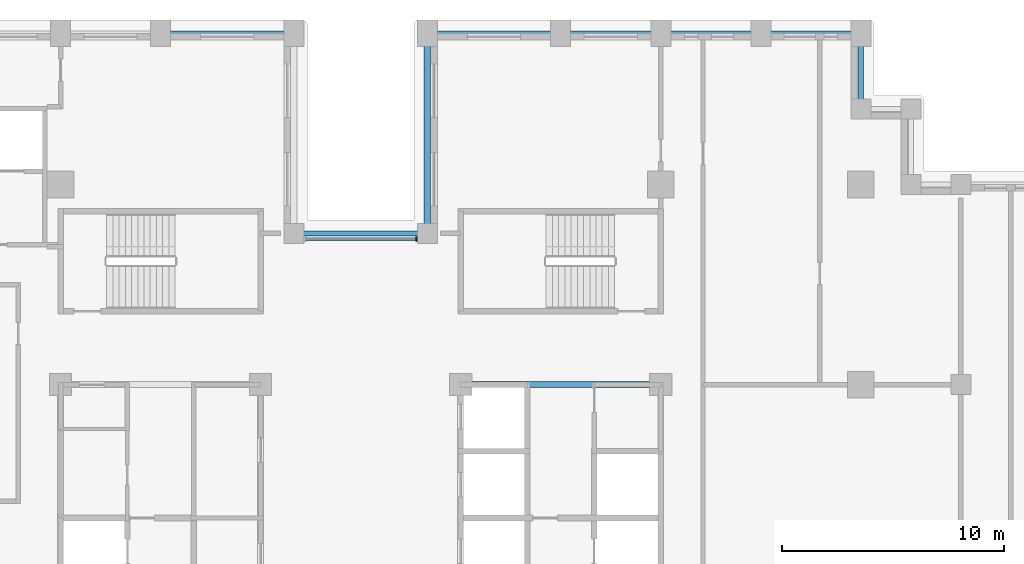
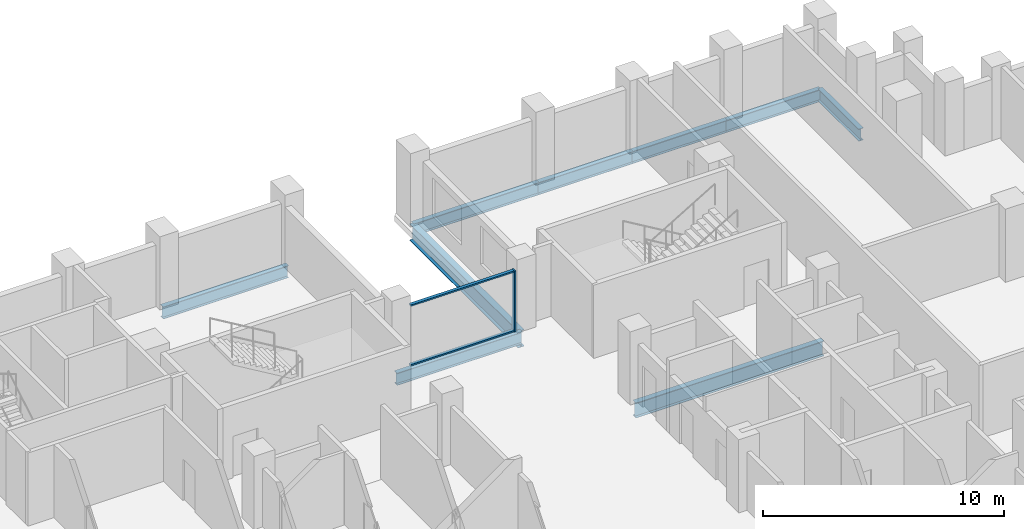
# One storey, part 4 of 16: 9 beams, 3 members, 1 element without a shape of its own.
"""IFC4 building model written with IfcOpenShell, lengths in metres."""

from ifc_helpers import new_model, si_unit, direction, frame, origin, origin_2d, place, context, subcontext, project, spatial, rectangle, i_section, extrude, material, layer, layer_set, material_profile, profile_set, type_object, element, aggregate, save


model = new_model("IFC4")

# Units and contexts
model_context = context("Model", 3, precision=1e-05, world=origin(), true_north=direction((0.0, 1.0)))
body_context = subcontext(model_context, "Body", "Model", "MODEL_VIEW")
ifc_project = project(units=[si_unit("LENGTHUNIT", "METRE"), si_unit("AREAUNIT", "SQUARE_METRE"), si_unit("VOLUMEUNIT", "CUBIC_METRE"), si_unit("PLANEANGLEUNIT", "RADIAN"), si_unit("MASSUNIT", "GRAM", prefix="KILO")], contexts=[model_context])

# Site, building, storey
site_placement = place(None, origin())
site = spatial("IfcSite", under=ifc_project, at=site_placement, CompositionType="ELEMENT")
building_placement = place(site_placement, origin())
building = spatial("IfcBuilding", under=site, at=building_placement, Name="Corbelhall Arena Tower", CompositionType="ELEMENT")
storey_placement = place(building_placement, frame((0.0, 0.0, 104.0)))
storey = spatial("IfcBuildingStorey", under=building, at=storey_placement, Name="L18", CompositionType="ELEMENT", Elevation=104.0)

# Curtain wall, members
ifc_material_1 = material(Name="Aluminium black anodised", Category="aluminium")
ifc_layer = layer(ifc_material_1, 0.199951171875)
ifc_layer_set = layer_set([ifc_layer], Name="EV-CW1 Slot back wall")
curtain_wall_type = type_object("IfcCurtainWallType", Name="EV-CW1 Slot back wall", PredefinedType="NOTDEFINED", material=ifc_layer_set)
curtain_wall_placement = place(storey_placement, origin())
curtain_wall = element("IfcCurtainWall", 1, at=curtain_wall_placement, inside=storey, type_object=curtain_wall_type, Name="Curtain wall CW1", PredefinedType="NOTDEFINED")
ifc_material_profile_1 = material_profile(ifc_material_1, rectangle(XDim=0.199951171875, YDim=0.074951171875, at=origin_2d()))
ifc_profile_set_1 = profile_set([ifc_material_profile_1], Name="Aluminium black anodised")
member_type_1 = type_object("IfcMemberType", Name="EV-CW1-MULLION", PredefinedType="MULLION", material=ifc_profile_set_1)
member_1_placement = place(storey_placement, frame((2.512451171875, 15.550048828125, 0.0), z_axis=(0.0, 0.0, 1.0), x_axis=(0.0, -1.0, 0.0)))
member_1 = element("IfcMember", 2, at=member_1_placement, type_object=member_type_1, Name="CW1 mullion 1", PredefinedType="MULLION", context=body_context, shape_type="SweptSolid", body=[
    extrude(rectangle(XDim=0.199951171875, YDim=0.074951171875, at=origin_2d()), origin(), (0.0, 0.0, 1.0), 3.10009765625),
])
ifc_material_profile_2 = material_profile(ifc_material_1, rectangle(XDim=0.14990234375, YDim=0.074951171875, at=origin_2d()))
ifc_profile_set_2 = profile_set([ifc_material_profile_2], Name="Aluminium black anodised")
member_type_2 = type_object("IfcMemberType", Name="EV-CW1-TRANSOM", PredefinedType="USERDEFINED", material=ifc_profile_set_2)
member_2_placement = place(storey_placement, frame((2.47509765625, 15.550048828125, 0.03759765625), z_axis=(-1.0, 0.0, 0.0), x_axis=(0.0, -1.0, 0.0)))
member_2 = element("IfcMember", 3, at=member_2_placement, type_object=member_type_2, Name="CW1 transom 1.1", ObjectType="transom", PredefinedType="USERDEFINED", context=body_context, shape_type="SweptSolid", body=[
    extrude(rectangle(XDim=0.14990234375, YDim=0.074951171875, at=origin_2d()), origin(), (0.0, 0.0, 1.0), 4.9501953125),
])
member_3_placement = place(storey_placement, frame((2.47509765625, 15.550048828125, 3.0625), z_axis=(-1.0, 0.0, 0.0), x_axis=(0.0, -1.0, 0.0)))
member_3 = element("IfcMember", 4, at=member_3_placement, type_object=member_type_2, Name="CW1 transom 1.2", ObjectType="transom", PredefinedType="USERDEFINED", context=body_context, shape_type="SweptSolid", body=[
    extrude(rectangle(XDim=0.14990234375, YDim=0.074951171875, at=origin_2d()), origin(), (0.0, 0.0, 1.0), 4.9501953125),
])
aggregate(curtain_wall, [member_1, member_2, member_3])

# Beams
ifc_material_2 = material(Name="Steel ASTM A992 Gr50", Category="steel")
ifc_material_profile_3 = material_profile(ifc_material_2, i_section(OverallWidth=0.2666015625, OverallDepth=0.761962890625, WebThickness=0.014404296875, FlangeThickness=0.021484375, at=origin_2d()))
ifc_profile_set_3 = profile_set([ifc_material_profile_3], Name="Steel ASTM A992 Gr50")
beam_type_1 = type_object("IfcBeamType", Name="ST-BEAM-W30x116", PredefinedType="BEAM", material=ifc_profile_set_3)
beam_1_placement = place(storey_placement, frame((4.5, 9.0, -0.680908203125), z_axis=(1.0, 0.0, 0.0), x_axis=(0.0, 1.0, 0.0)))
element("IfcBeam", 5, at=beam_1_placement, inside=storey, type_object=beam_type_1, Name="Beam CEE 12", PredefinedType="BEAM", context=body_context, shape_type="SweptSolid", body=[
    extrude(i_section(OverallWidth=0.2666015625, OverallDepth=0.761962890625, WebThickness=0.014404296875, FlangeThickness=0.021484375, at=origin_2d()), origin(), (0.0, 0.0, 1.0), 9.0),
])
ifc_material_profile_4 = material_profile(ifc_material_2, i_section(OverallWidth=0.23046875, OverallDepth=0.6171875, WebThickness=0.01318359375, FlangeThickness=0.022216796875, at=origin_2d()))
ifc_profile_set_4 = profile_set([ifc_material_profile_4], Name="Steel ASTM A992 Gr50")
beam_type_2 = type_object("IfcBeamType", Name="ST-SPANDREL-W24x94", PredefinedType="SPANDREL", material=ifc_profile_set_4)
beam_2_placement = place(storey_placement, frame((3.0, 24.800048828125, -0.608642578125), z_axis=(1.0, 0.0, 0.0), x_axis=(0.0, 1.0, 0.0)))
element("IfcBeam", 6, at=beam_2_placement, inside=storey, type_object=beam_type_2, Name="Beam SP 17", PredefinedType="SPANDREL", context=body_context, shape_type="SweptSolid", body=[
    extrude(i_section(OverallWidth=0.23046875, OverallDepth=0.6171875, WebThickness=0.01318359375, FlangeThickness=0.022216796875, at=origin_2d()), origin(), (0.0, 0.0, 1.0), 6.0),
])
for number, where, z_axis, x_axis, name in (
    (7, (9.0, 24.800048828125, -0.608642578125), (1.0, 0.0, 0.0), (0.0, 1.0, 0.0), "Beam SP 18"),
    (8, (13.5, 24.800048828125, -0.608642578125), (1.0, 0.0, 0.0), (0.0, 1.0, 0.0), "Beam SP 19"),
    (9, (18.0, 24.800048828125, -0.608642578125), (1.0, 0.0, 0.0), (0.0, 1.0, 0.0), "Beam SP 20"),
):
    element("IfcBeam", number, at=place(storey_placement, frame(where, z_axis=z_axis, x_axis=x_axis)), inside=storey, type_object=beam_type_2, Name=name, PredefinedType="SPANDREL", context=body_context, shape_type="SweptSolid", body=[
        extrude(i_section(OverallWidth=0.23046875, OverallDepth=0.6171875, WebThickness=0.01318359375, FlangeThickness=0.022216796875, at=origin_2d()), origin(), (0.0, 0.0, 1.0), 4.5),
    ])
beam_3_placement = place(storey_placement, frame((22.5, 24.800048828125, -0.608642578125), z_axis=(0.0, -1.0, 0.0), x_axis=(1.0, 0.0, 0.0)))
element("IfcBeam", 10, at=beam_3_placement, inside=storey, type_object=beam_type_2, Name="Beam SP 21", PredefinedType="SPANDREL", context=body_context, shape_type="SweptSolid", body=[
    extrude(i_section(OverallWidth=0.23046875, OverallDepth=0.6171875, WebThickness=0.01318359375, FlangeThickness=0.022216796875, at=origin_2d()), origin(), (0.0, 0.0, 1.0), 3.400146484375),
])
for number, where, z_axis, x_axis, name in (
    (11, (-9.0, 24.800048828125, -0.608642578125), (1.0, 0.0, 0.0), (0.0, 1.0, 0.0), "Beam SP 23"),
    (12, (-3.0, 15.800048828125, -0.608642578125), (1.0, 0.0, 0.0), (0.0, 1.0, 0.0), "Beam SP 40"),
):
    element("IfcBeam", number, at=place(storey_placement, frame(where, z_axis=z_axis, x_axis=x_axis)), inside=storey, type_object=beam_type_2, Name=name, PredefinedType="SPANDREL", context=body_context, shape_type="SweptSolid", body=[
        extrude(i_section(OverallWidth=0.23046875, OverallDepth=0.6171875, WebThickness=0.01318359375, FlangeThickness=0.022216796875, at=origin_2d()), origin(), (0.0, 0.0, 1.0), 6.0),
    ])
ifc_material_profile_5 = material_profile(ifc_material_2, i_section(OverallWidth=0.2919921875, OverallDepth=0.845703125, WebThickness=0.015380859375, FlangeThickness=0.0244140625, at=origin_2d()))
ifc_profile_set_5 = profile_set([ifc_material_profile_5], Name="Steel ASTM A992 Gr50")
beam_type_3 = type_object("IfcBeamType", Name="ST-SPANDREL-W33x141", PredefinedType="SPANDREL", material=ifc_profile_set_5)
beam_4_placement = place(storey_placement, frame((3.0, 15.800048828125, -0.722900390625), z_axis=(0.0, 1.0, 0.0), x_axis=(-1.0, 0.0, 0.0)))
element("IfcBeam", 13, at=beam_4_placement, inside=storey, type_object=beam_type_3, Name="Beam SP 39", PredefinedType="SPANDREL", context=body_context, shape_type="SweptSolid", body=[
    extrude(i_section(OverallWidth=0.2919921875, OverallDepth=0.845703125, WebThickness=0.015380859375, FlangeThickness=0.0244140625, at=origin_2d()), origin(), (0.0, 0.0, 1.0), 9.0),
])

save(model, "model.ifc")
